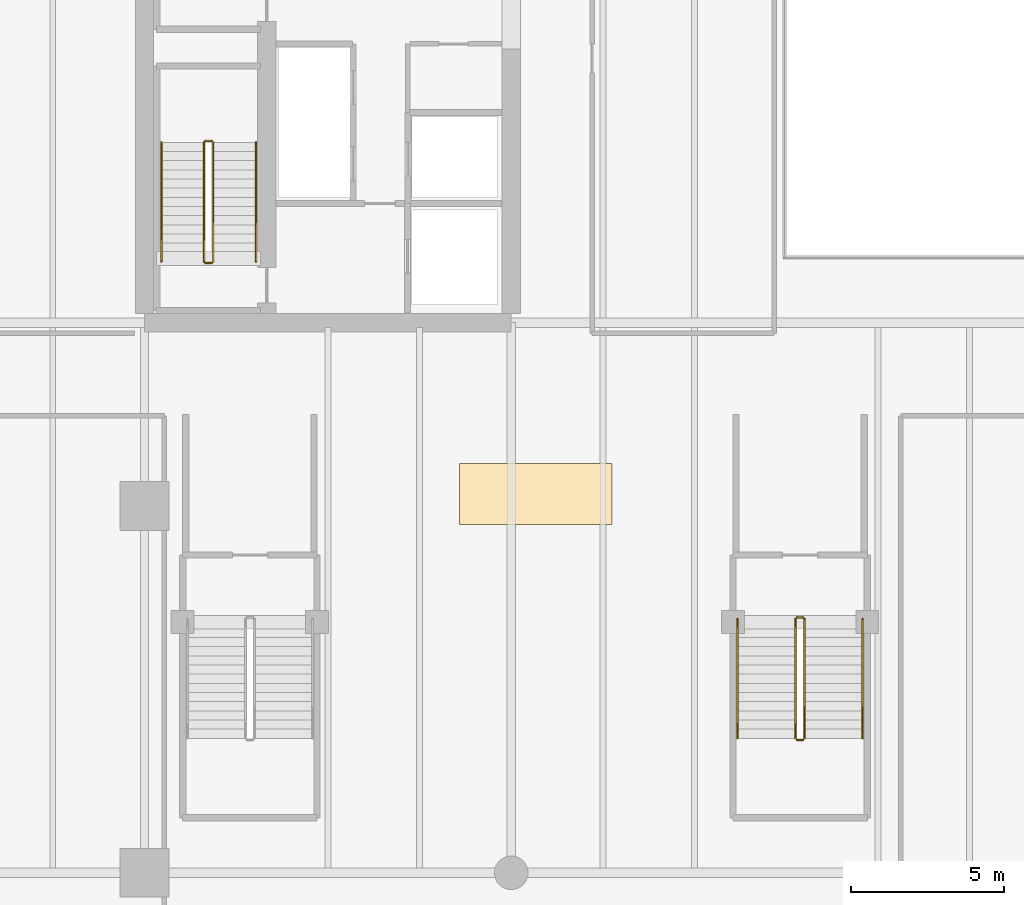
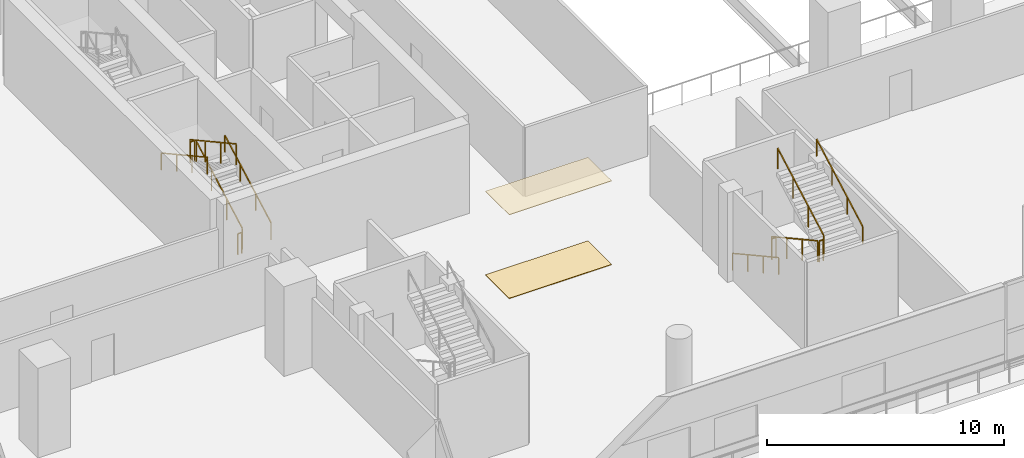
# One storey, part 18 of 27: 12 railings, 2 coverings.
"""IFC4 building model written with IfcOpenShell, lengths in metres."""

from ifc_helpers import new_model, si_unit, direction, frame, origin, origin_2d, place, context, subcontext, project, spatial, rectangle, extrude, material, layer, layer_set, type_object, element, save


model = new_model("IFC4")

# Units and contexts
model_context = context("Model", 3, precision=1e-05, world=origin(), true_north=direction((0.0, 1.0)))
body_context = subcontext(model_context, "Body", "Model", "MODEL_VIEW")
ifc_project = project(units=[si_unit("LENGTHUNIT", "METRE"), si_unit("AREAUNIT", "SQUARE_METRE"), si_unit("VOLUMEUNIT", "CUBIC_METRE"), si_unit("PLANEANGLEUNIT", "RADIAN"), si_unit("MASSUNIT", "GRAM", prefix="KILO")], contexts=[model_context])

# Site, building, storey
site_placement = place(None, origin())
site = spatial("IfcSite", under=ifc_project, at=site_placement, CompositionType="ELEMENT")
building_placement = place(site_placement, origin())
building = spatial("IfcBuilding", under=site, at=building_placement, Name="Tanjung Sevakor Pilgrim Tower", CompositionType="ELEMENT")
storey_placement = place(building_placement, frame((0.0, 0.0, 14.85009765625)))
storey = spatial("IfcBuildingStorey", under=building, at=storey_placement, Name="L04", CompositionType="ELEMENT", Elevation=14.85009765625)

# Coverings
ifc_material_1 = material(Name="Acoustic Gypsum Board Ceiling", Category="gypsum board")
ifc_layer_1 = layer(ifc_material_1, 0.02490234375)
ifc_layer_set_1 = layer_set([ifc_layer_1], Name="COV-CEIL-ACOUSTIC")
covering_type_1 = type_object("IfcCoveringType", Name="COV-CEIL-ACOUSTIC", PredefinedType="CEILING", material=ifc_layer_set_1)
covering_1_placement = place(storey_placement, frame((36.800048828125, 19.0, 4.3154296875), z_axis=(0.0, 0.0, 1.0), x_axis=(1.0, 0.0, 0.0)))
element("IfcCovering", 1, at=covering_1_placement, inside=storey, type_object=covering_type_1, Name="L04 Acoustic Suspended Ceiling", PredefinedType="CEILING", context=body_context, shape_type="SweptSolid", body=[
    extrude(rectangle(XDim=5.0, YDim=2.0, at=origin_2d()), origin(), (0.0, 0.0, 1.0), 0.02490234375),
])
ifc_material_2 = material(Name="Honed Limestone Terrazzo Flooring", Category="masonry")
ifc_layer_2 = layer(ifc_material_2, 0.030029296875)
ifc_layer_set_2 = layer_set([ifc_layer_2], Name="COV-FLOOR-TERRAZZO")
covering_type_2 = type_object("IfcCoveringType", Name="COV-FLOOR-TERRAZZO", PredefinedType="FLOORING", material=ifc_layer_set_2)
covering_2_placement = place(storey_placement, frame((36.800048828125, 19.0, 0.0), z_axis=(0.0, 0.0, 1.0), x_axis=(1.0, 0.0, 0.0)))
element("IfcCovering", 2, at=covering_2_placement, inside=storey, type_object=covering_type_2, Name="L04 Terrazzo Lobby Flooring", PredefinedType="FLOORING", context=body_context, shape_type="SweptSolid", body=[
    extrude(rectangle(XDim=5.0, YDim=2.0, at=origin_2d()), origin(), (0.0, 0.0, 1.0), 0.030029296875),
])

# Railings
ifc_material_3 = material(Name="Steel S355J2", Category="steel")
railing_type_1 = type_object("IfcRailingType", Name="RL-STAIR-GUARD", PredefinedType="GUARDRAIL", material=ifc_material_3)
railing_1_placement = place(storey_placement, frame((26.25, 26.60009765625, 0.164794921875)))
element("IfcRailing", 3, at=railing_1_placement, inside=storey, type_object=railing_type_1, Name="L04 TS-W1 stair guard 1", PredefinedType="GUARDRAIL", context=body_context, shape_type="SweptSolid", body=[
    extrude(rectangle(XDim=0.0479, YDim=0.0479), frame((0.0, 0.0, 1.076171875), z_axis=(0.0, 0.876208959939, 0.481931383625), x_axis=(-1.0, 0.0, 0.0)), (0.0, 0.0, 1.0), 4.450927734375),
    extrude(rectangle(XDim=0.042, YDim=0.042), origin(), (0.0, 0.0, 1.0), 1.052001953125),
    extrude(rectangle(XDim=0.042, YDim=0.042), frame((0.0, 1.300048828125, 0.715087890625)), (0.0, 0.0, 1.0), 1.052001953125),
    extrude(rectangle(XDim=0.042, YDim=0.042), frame((0.0, 2.599853515625, 1.429931640625)), (0.0, 0.0, 1.0), 1.052001953125),
    extrude(rectangle(XDim=0.042, YDim=0.042), frame((0.0, 3.89990234375, 2.14501953125)), (0.0, 0.0, 1.0), 1.052001953125),
])
railing_2_placement = place(storey_placement, frame((26.199951171875, 30.550048828125, 2.309814453125)))
element("IfcRailing", 4, at=railing_2_placement, inside=storey, type_object=railing_type_1, Name="L04 TS-W1 stair guard 2", PredefinedType="GUARDRAIL", context=body_context, shape_type="SweptSolid", body=[
    extrude(rectangle(XDim=0.0479, YDim=0.0479), frame((0.0, 0.0, 1.076171875), z_axis=(-1.0, 0.0, 0.0), x_axis=(0.0, -1.0, 0.0)), (0.0, 0.0, 1.0), 0.199951171875),
    extrude(rectangle(XDim=0.042, YDim=0.042), origin(), (0.0, 0.0, 1.0), 1.052001953125),
    extrude(rectangle(XDim=0.042, YDim=0.042), frame((-0.199951171875, 0.0, 0.0)), (0.0, 0.0, 1.0), 1.052001953125),
])
railing_3_placement = place(storey_placement, frame((25.949951171875, 30.5, 2.474853515625)))
element("IfcRailing", 5, at=railing_3_placement, inside=storey, type_object=railing_type_1, Name="L04 TS-W1 stair guard 3", PredefinedType="GUARDRAIL", context=body_context, shape_type="SweptSolid", body=[
    extrude(rectangle(XDim=0.0479, YDim=0.0479), frame((0.0, 0.0, 1.076171875), z_axis=(0.0, -0.876208959939, 0.481931383625), x_axis=(1.0, 0.0, 0.0)), (0.0, 0.0, 1.0), 4.450927734375),
    extrude(rectangle(XDim=0.042, YDim=0.042), origin(), (0.0, 0.0, 1.0), 1.052001953125),
    extrude(rectangle(XDim=0.042, YDim=0.042), frame((0.0, -1.300048828125, 0.715087890625)), (0.0, 0.0, 1.0), 1.052001953125),
    extrude(rectangle(XDim=0.042, YDim=0.042), frame((0.0, -2.599853515625, 1.429931640625)), (0.0, 0.0, 1.0), 1.052001953125),
    extrude(rectangle(XDim=0.042, YDim=0.042), frame((0.0, -3.89990234375, 2.14501953125)), (0.0, 0.0, 1.0), 1.052001953125),
])
railing_4_placement = place(storey_placement, frame((26.199951171875, 26.550048828125, 0.0)))
element("IfcRailing", 6, at=railing_4_placement, inside=storey, type_object=railing_type_1, Name="L04 TS-W1 stair guard 4", PredefinedType="GUARDRAIL", context=body_context, shape_type="SweptSolid", body=[
    extrude(rectangle(XDim=0.0479, YDim=0.0479), frame((0.0, 0.0, 1.076171875), z_axis=(-1.0, 0.0, 0.0), x_axis=(0.0, -1.0, 0.0)), (0.0, 0.0, 1.0), 0.199951171875),
    extrude(rectangle(XDim=0.042, YDim=0.042), origin(), (0.0, 0.0, 1.0), 1.052001953125),
    extrude(rectangle(XDim=0.042, YDim=0.042), frame((-0.199951171875, 0.0, 0.0)), (0.0, 0.0, 1.0), 1.052001953125),
])
railing_5_placement = place(storey_placement, frame((45.300048828125, 14.89990234375, 0.164794921875)))
element("IfcRailing", 7, at=railing_5_placement, inside=storey, type_object=railing_type_1, Name="L04 PS-3 stair guard 1", PredefinedType="GUARDRAIL", context=body_context, shape_type="SweptSolid", body=[
    extrude(rectangle(XDim=0.0479, YDim=0.0479), frame((0.0, 0.0, 1.076171875), z_axis=(0.0, -0.876208959939, 0.481931383625), x_axis=(1.0, 0.0, 0.0)), (0.0, 0.0, 1.0), 4.450927734375),
    extrude(rectangle(XDim=0.042, YDim=0.042), origin(), (0.0, 0.0, 1.0), 1.052001953125),
    extrude(rectangle(XDim=0.042, YDim=0.042), frame((0.0, -1.300048828125, 0.715087890625)), (0.0, 0.0, 1.0), 1.052001953125),
    extrude(rectangle(XDim=0.042, YDim=0.042), frame((0.0, -2.599853515625, 1.429931640625)), (0.0, 0.0, 1.0), 1.052001953125),
    extrude(rectangle(XDim=0.042, YDim=0.042), frame((0.0, -3.89990234375, 2.14501953125)), (0.0, 0.0, 1.0), 1.052001953125),
])
railing_6_placement = place(storey_placement, frame((45.35009765625, 10.949951171875, 2.309814453125)))
element("IfcRailing", 8, at=railing_6_placement, inside=storey, type_object=railing_type_1, Name="L04 PS-3 stair guard 2", PredefinedType="GUARDRAIL", context=body_context, shape_type="SweptSolid", body=[
    extrude(rectangle(XDim=0.0479, YDim=0.0479), frame((0.0, 0.0, 1.076171875), z_axis=(1.0, 0.0, 0.0), x_axis=(0.0, 1.0, 0.0)), (0.0, 0.0, 1.0), 0.199951171875),
    extrude(rectangle(XDim=0.042, YDim=0.042), origin(), (0.0, 0.0, 1.0), 1.052001953125),
    extrude(rectangle(XDim=0.042, YDim=0.042), frame((0.199951171875, 0.0, 0.0)), (0.0, 0.0, 1.0), 1.052001953125),
])
railing_7_placement = place(storey_placement, frame((45.60009765625, 11.0, 2.474853515625)))
element("IfcRailing", 9, at=railing_7_placement, inside=storey, type_object=railing_type_1, Name="L04 PS-3 stair guard 3", PredefinedType="GUARDRAIL", context=body_context, shape_type="SweptSolid", body=[
    extrude(rectangle(XDim=0.0479, YDim=0.0479), frame((0.0, 0.0, 1.076171875), z_axis=(0.0, 0.876208959939, 0.481931383625), x_axis=(-1.0, 0.0, 0.0)), (0.0, 0.0, 1.0), 4.450927734375),
    extrude(rectangle(XDim=0.042, YDim=0.042), origin(), (0.0, 0.0, 1.0), 1.052001953125),
    extrude(rectangle(XDim=0.042, YDim=0.042), frame((0.0, 1.300048828125, 0.715087890625)), (0.0, 0.0, 1.0), 1.052001953125),
    extrude(rectangle(XDim=0.042, YDim=0.042), frame((0.0, 2.599853515625, 1.429931640625)), (0.0, 0.0, 1.0), 1.052001953125),
    extrude(rectangle(XDim=0.042, YDim=0.042), frame((0.0, 3.89990234375, 2.14501953125)), (0.0, 0.0, 1.0), 1.052001953125),
])
railing_8_placement = place(storey_placement, frame((45.35009765625, 14.949951171875, 0.0)))
element("IfcRailing", 10, at=railing_8_placement, inside=storey, type_object=railing_type_1, Name="L04 PS-3 stair guard 4", PredefinedType="GUARDRAIL", context=body_context, shape_type="SweptSolid", body=[
    extrude(rectangle(XDim=0.0479, YDim=0.0479), frame((0.0, 0.0, 1.076171875), z_axis=(1.0, 0.0, 0.0), x_axis=(0.0, 1.0, 0.0)), (0.0, 0.0, 1.0), 0.199951171875),
    extrude(rectangle(XDim=0.042, YDim=0.042), origin(), (0.0, 0.0, 1.0), 1.052001953125),
    extrude(rectangle(XDim=0.042, YDim=0.042), frame((0.199951171875, 0.0, 0.0)), (0.0, 0.0, 1.0), 1.052001953125),
])
ifc_material_4 = material(Name="Steel S355J2", Category="steel")
railing_type_2 = type_object("IfcRailingType", Name="RL-STAIR-HAND", PredefinedType="HANDRAIL", material=ifc_material_4)
railing_9_placement = place(storey_placement, frame((27.64990234375, 26.60009765625, 0.164794921875)))
element("IfcRailing", 11, at=railing_9_placement, inside=storey, type_object=railing_type_2, Name="L04 TS-W1 stair handrail 1", PredefinedType="HANDRAIL", context=body_context, shape_type="SweptSolid", body=[
    extrude(rectangle(XDim=0.0479, YDim=0.0479), frame((0.0, 0.0, 0.8759765625), z_axis=(0.0, 0.876208959939, 0.481931383625), x_axis=(-1.0, 0.0, 0.0)), (0.0, 0.0, 1.0), 4.450927734375),
    extrude(rectangle(XDim=0.042, YDim=0.042), origin(), (0.0, 0.0, 1.0), 0.851806640625),
    extrude(rectangle(XDim=0.042, YDim=0.042), frame((0.0, 1.300048828125, 0.715087890625)), (0.0, 0.0, 1.0), 0.851806640625),
    extrude(rectangle(XDim=0.042, YDim=0.042), frame((0.0, 2.599853515625, 1.429931640625)), (0.0, 0.0, 1.0), 0.851806640625),
    extrude(rectangle(XDim=0.042, YDim=0.042), frame((0.0, 3.89990234375, 2.14501953125)), (0.0, 0.0, 1.0), 0.851806640625),
])
for number, where, name in (
    (12, (24.550048828125, 30.5, 2.474853515625), "L04 TS-W1 stair handrail 2"),
    (13, (43.39990234375, 14.89990234375, 0.164794921875), "L04 PS-3 stair handrail 1"),
):
    element("IfcRailing", number, at=place(storey_placement, frame(where)), inside=storey, type_object=railing_type_2, Name=name, PredefinedType="HANDRAIL", context=body_context, shape_type="SweptSolid", body=[
        extrude(rectangle(XDim=0.0479, YDim=0.0479), frame((0.0, 0.0, 0.8759765625), z_axis=(0.0, -0.876208959939, 0.481931383625), x_axis=(1.0, 0.0, 0.0)), (0.0, 0.0, 1.0), 4.450927734375),
        extrude(rectangle(XDim=0.042, YDim=0.042), origin(), (0.0, 0.0, 1.0), 0.851806640625),
        extrude(rectangle(XDim=0.042, YDim=0.042), frame((0.0, -1.300048828125, 0.715087890625)), (0.0, 0.0, 1.0), 0.851806640625),
        extrude(rectangle(XDim=0.042, YDim=0.042), frame((0.0, -2.599853515625, 1.429931640625)), (0.0, 0.0, 1.0), 0.851806640625),
        extrude(rectangle(XDim=0.042, YDim=0.042), frame((0.0, -3.89990234375, 2.14501953125)), (0.0, 0.0, 1.0), 0.851806640625),
    ])
railing_10_placement = place(storey_placement, frame((47.5, 11.0, 2.474853515625)))
element("IfcRailing", 14, at=railing_10_placement, inside=storey, type_object=railing_type_2, Name="L04 PS-3 stair handrail 2", PredefinedType="HANDRAIL", context=body_context, shape_type="SweptSolid", body=[
    extrude(rectangle(XDim=0.0479, YDim=0.0479), frame((0.0, 0.0, 0.8759765625), z_axis=(0.0, 0.876208959939, 0.481931383625), x_axis=(-1.0, 0.0, 0.0)), (0.0, 0.0, 1.0), 4.450927734375),
    extrude(rectangle(XDim=0.042, YDim=0.042), origin(), (0.0, 0.0, 1.0), 0.851806640625),
    extrude(rectangle(XDim=0.042, YDim=0.042), frame((0.0, 1.300048828125, 0.715087890625)), (0.0, 0.0, 1.0), 0.851806640625),
    extrude(rectangle(XDim=0.042, YDim=0.042), frame((0.0, 2.599853515625, 1.429931640625)), (0.0, 0.0, 1.0), 0.851806640625),
    extrude(rectangle(XDim=0.042, YDim=0.042), frame((0.0, 3.89990234375, 2.14501953125)), (0.0, 0.0, 1.0), 0.851806640625),
])

save(model, "model.ifc")
